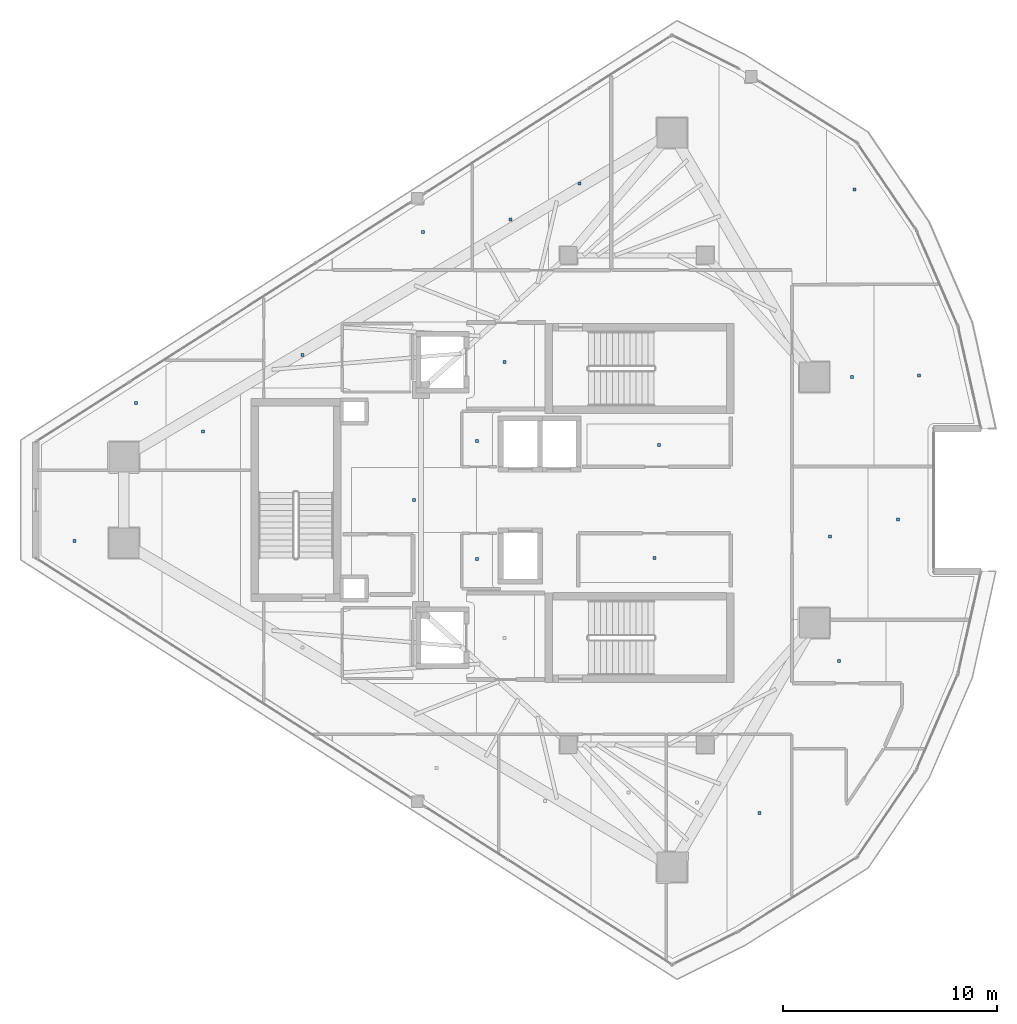
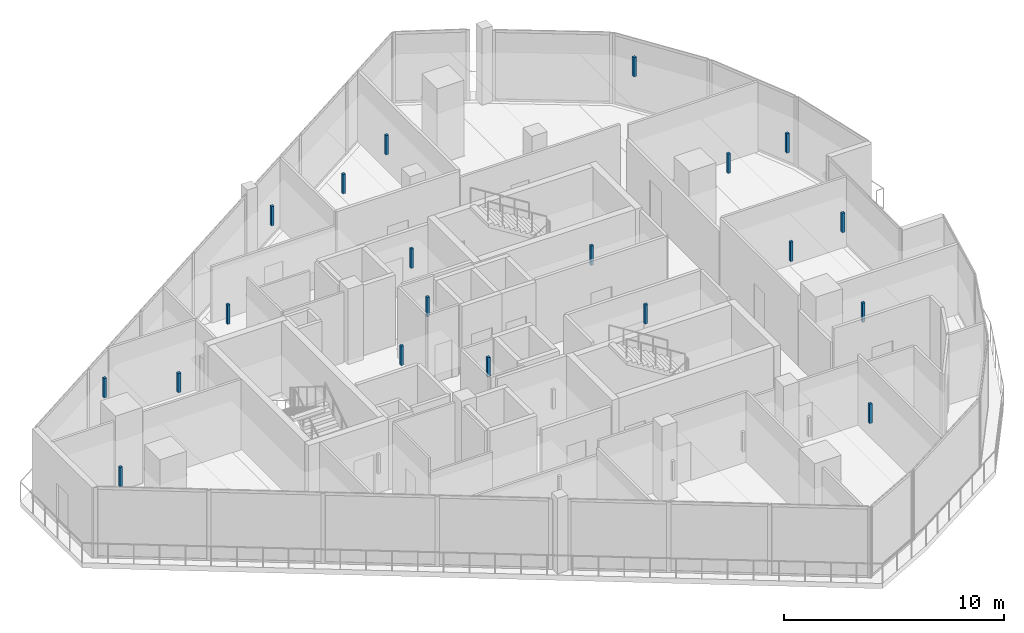
# One storey, part 18 of 23: 20 discrete accessories.
"""IFC4 building model written with IfcOpenShell, lengths in metres."""

from ifc_helpers import new_model, si_unit, direction, frame, origin, origin_2d, place, context, subcontext, project, spatial, rectangle, extrude, material, type_object, element, save


model = new_model("IFC4")

# Units and contexts
model_context = context("Model", 3, precision=1e-05, world=origin(), true_north=direction((0.0, 1.0)))
body_context = subcontext(model_context, "Body", "Model", "MODEL_VIEW")
ifc_project = project(units=[si_unit("LENGTHUNIT", "METRE"), si_unit("AREAUNIT", "SQUARE_METRE"), si_unit("VOLUMEUNIT", "CUBIC_METRE"), si_unit("PLANEANGLEUNIT", "RADIAN"), si_unit("MASSUNIT", "GRAM", prefix="KILO")], contexts=[model_context])

# Site, building, storey
site_placement = place(None, origin())
site = spatial("IfcSite", under=ifc_project, at=site_placement, CompositionType="ELEMENT")
building_placement = place(site_placement, origin())
building = spatial("IfcBuilding", under=site, at=building_placement, Name="Qorvath Tower", CompositionType="ELEMENT")
storey_placement = place(building_placement, frame((0.0, 0.0, 310.199951171875)))
storey = spatial("IfcBuildingStorey", under=building, at=storey_placement, Name="L72", CompositionType="ELEMENT", Elevation=310.199951171875)

# Discrete accessories
ifc_material = material(Name="Galvanised steel bracket", Category="steel")
discrete_accessory_type = type_object("IfcDiscreteAccessoryType", Name="DA-BRACKET", PredefinedType="BRACKET", material=ifc_material)
for number, where, z_axis, x_axis, name in (
    (1, (-26.590087890625, 6.449951171875, 2.860107421875), (0.0, 0.0, 1.0), (1.0, 0.0, 0.0), "Acoustic Ceiling Suspension Hanger T1-L72-001"),
    (2, (-19.37255859375, 2.5625, 2.860107421875), (0.0, 0.0, 1.0), (1.0, 0.0, 0.0), "Acoustic Ceiling Suspension Hanger T1-L72-003"),
    (3, (-19.574951171875, -2.70751953125, 2.860107421875), (0.0, 0.0, 1.0), (1.0, 0.0, 0.0), "Acoustic Ceiling Suspension Hanger T1-L72-004"),
    (4, (-27.87744140625, 2.762451171875, 2.860107421875), (0.0, 0.0, 1.0), (1.0, 0.0, 0.0), "Acoustic Ceiling Suspension Hanger T1-L72-005"),
    (5, (-27.87744140625, -2.762451171875, 2.860107421875), (0.0, 0.0, 1.0), (1.0, 0.0, 0.0), "Acoustic Ceiling Suspension Hanger T1-L72-006"),
    (6, (-36.040283203125, 6.782470703125, 2.860107421875), (0.0, 0.0, 1.0), (1.0, 0.0, 0.0), "Acoustic Ceiling Suspension Hanger T1-L72-010"),
    (7, (-30.8291015625, 0.0, 2.860107421875), (0.0, 0.0, 1.0), (1.0, 0.0, 0.0), "Acoustic Ceiling Suspension Hanger T1-L72-012"),
    (8, (-30.396728515625, 12.53759765625, 2.860107421875), (0.0, 0.0, 1.0), (1.0, 0.0, 0.0), "Acoustic Ceiling Suspension Hanger T1-L72-013"),
    (9, (-26.31298828125, 13.11962890625, 2.860107421875), (0.0, 0.0, 1.0), (1.0, 0.0, 0.0), "Acoustic Ceiling Suspension Hanger T1-L72-014"),
    (10, (-23.07421875, 14.819091796875, 2.860107421875), (0.0, 0.0, 1.0), (1.0, 0.0, 0.0), "Acoustic Ceiling Suspension Hanger T1-L72-015"),
    (11, (-10.210693359375, 14.534912109375, 2.860107421875), (0.0, 0.0, 1.0), (1.0, 0.0, 0.0), "Acoustic Ceiling Suspension Hanger T1-L72-018"),
    (12, (-14.66455078125, -14.64697265625, 2.860107421875), (0.0, 0.0, 1.0), (1.0, 0.0, 0.0), "Acoustic Ceiling Suspension Hanger T1-L72-023"),
    (13, (-10.941162109375, -7.54248046875, 2.860107421875), (0.0, 0.0, 1.0), (1.0, 0.0, 0.0), "Acoustic Ceiling Suspension Hanger T1-L72-025"),
    (14, (-11.359375, -1.717529296875, 2.860107421875), (0.0, 0.0, 1.0), (1.0, 0.0, 0.0), "Acoustic Ceiling Suspension Hanger T1-L72-027"),
    (15, (-8.1748046875, -0.908935546875, 2.860107421875), (0.0, 0.0, 1.0), (1.0, 0.0, 0.0), "Acoustic Ceiling Suspension Hanger T1-L72-028"),
    (16, (-10.325439453125, 5.7578125, 2.860107421875), (0.0, 0.0, 1.0), (1.0, 0.0, 0.0), "Acoustic Ceiling Suspension Hanger T1-L72-029"),
    (17, (-7.20556640625, 5.819091796875, 2.860107421875), (0.0, 0.0, 1.0), (1.0, 0.0, 0.0), "Acoustic Ceiling Suspension Hanger T1-L72-030"),
    (18, (-46.713623046875, -1.928955078125, 2.860107421875), (0.0, 0.0, 1.0), (1.0, 0.0, 0.0), "Acoustic Ceiling Suspension Hanger T1-L72-031"),
    (19, (-43.824462890625, 4.53515625, 2.860107421875), (0.0, 0.0, 1.0), (1.0, 0.0, 0.0), "Acoustic Ceiling Suspension Hanger T1-L72-033"),
    (20, (-40.69580078125, 3.200927734375, 2.860107421875), (0.0, 0.0, 1.0), (1.0, 0.0, 0.0), "Acoustic Ceiling Suspension Hanger T1-L72-034"),
):
    element("IfcDiscreteAccessory", number, at=place(storey_placement, frame(where, z_axis=z_axis, x_axis=x_axis)), inside=storey, type_object=discrete_accessory_type, Name=name, PredefinedType="NOTDEFINED", context=body_context, shape_type="SweptSolid", body=[
        extrude(rectangle(XDim=0.139892578125, YDim=0.139892578125, at=origin_2d()), origin(), (0.0, 0.0, 1.0), 1.080078125),
    ])

save(model, "model.ifc")
